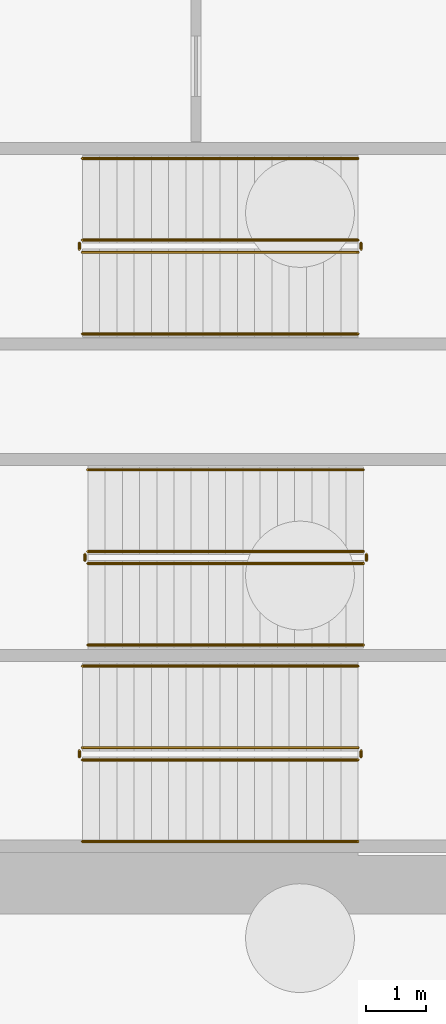
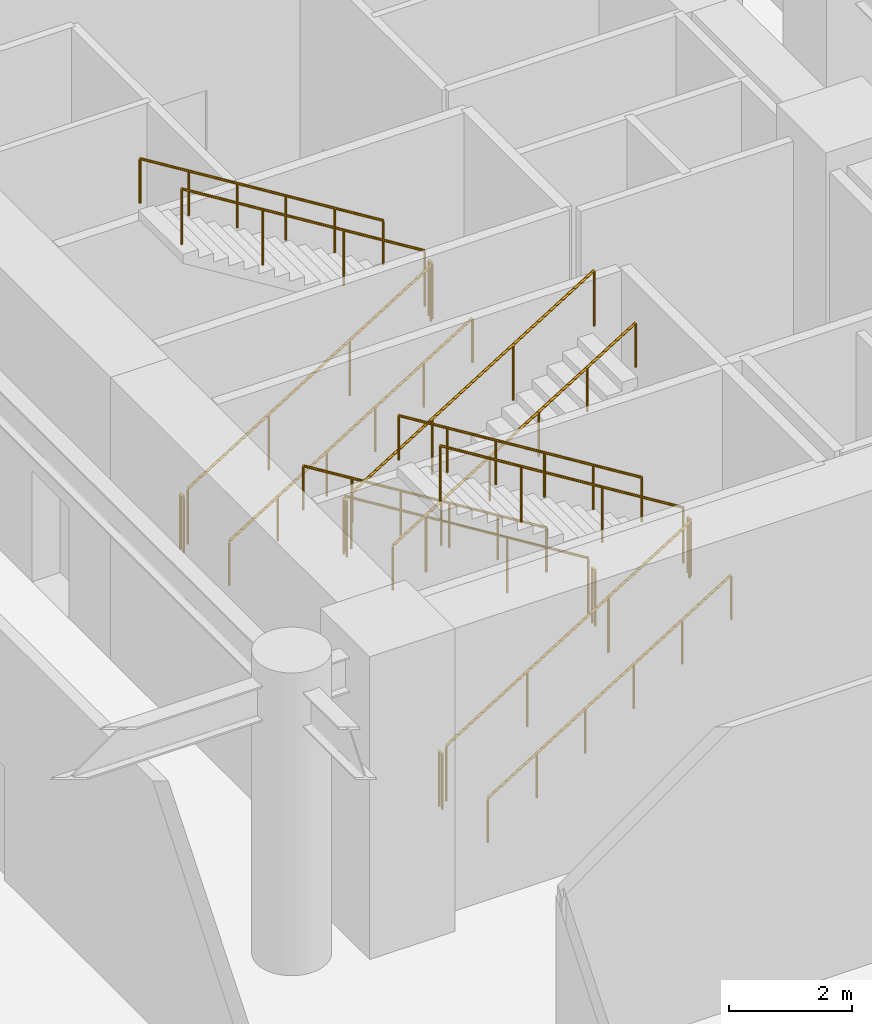
# One storey, part 33 of 37: 18 railings.
"""IFC4 building model written with IfcOpenShell, lengths in metres."""

from ifc_helpers import new_model, si_unit, direction, frame, origin, origin_2d, place, context, subcontext, project, spatial, circle, extrude, material, type_object, element, save


model = new_model("IFC4")

# Units and contexts
model_context = context("Model", 3, precision=1e-05, world=origin(), true_north=direction((0.0, 1.0)))
body_context = subcontext(model_context, "Body", "Model", "MODEL_VIEW")
ifc_project = project(units=[si_unit("LENGTHUNIT", "METRE"), si_unit("AREAUNIT", "SQUARE_METRE"), si_unit("VOLUMEUNIT", "CUBIC_METRE"), si_unit("PLANEANGLEUNIT", "RADIAN"), si_unit("MASSUNIT", "GRAM", prefix="KILO")], contexts=[model_context])

# Site, building, storey
site_placement = place(None, origin())
site = spatial("IfcSite", under=ifc_project, at=site_placement, CompositionType="ELEMENT")
building_placement = place(site_placement, origin())
building = spatial("IfcBuilding", under=site, at=building_placement, Name="Narakoshi Arena Tower", CompositionType="ELEMENT")
storey_placement = place(building_placement, frame((0.0, 0.0, -6.0)))
storey = spatial("IfcBuildingStorey", under=building, at=storey_placement, Name="B01", CompositionType="ELEMENT", Elevation=-6.0)

# Railings
ifc_material_1 = material(Name="Clear low-iron laminated structural glass", Category="glass")
railing_type_1 = type_object("IfcRailingType", Name="RL-BAL-1100", PredefinedType="BALUSTRADE", material=ifc_material_1)
railing_1_placement = place(storey_placement, frame((74.39990234375, 36.949951171875, 0.176513671875)))
element("IfcRailing", 1, at=railing_1_placement, inside=storey, type_object=railing_type_1, Name="B01 ST1 stair guard 1", PredefinedType="BALUSTRADE", context=body_context, shape_type="SweptSolid", body=[
    extrude(circle(Radius=0.02392578125, at=origin_2d()), frame((0.0, 0.0, 1.09619140625), z_axis=(0.850215668316, 0.0, 0.526434532824), x_axis=(0.0, 1.0, 0.0)), (0.0, 0.0, 1.0), 5.363525390625),
    extrude(circle(Radius=0.02099609375, at=origin_2d()), origin(), (0.0, 0.0, 1.0), 1.072021484375),
    extrude(circle(Radius=0.02099609375, at=origin_2d()), frame((1.52001953125, 0.0, 0.941162109375)), (0.0, 0.0, 1.0), 1.072021484375),
    extrude(circle(Radius=0.02099609375, at=origin_2d()), frame((3.0400390625, 0.0, 1.88232421875)), (0.0, 0.0, 1.0), 1.072021484375),
    extrude(circle(Radius=0.02099609375, at=origin_2d()), frame((4.56005859375, 0.0, 2.823486328125)), (0.0, 0.0, 1.0), 1.072021484375),
])
railing_2_placement = place(storey_placement, frame((79.010009765625, 37.0, 3.0)))
element("IfcRailing", 2, at=railing_2_placement, inside=storey, type_object=railing_type_1, Name="B01 ST1 stair guard 2", PredefinedType="BALUSTRADE", context=body_context, shape_type="SweptSolid", body=[
    extrude(circle(Radius=0.02392578125, at=origin_2d()), frame((0.0, 0.0, 1.09619140625), z_axis=(0.0, 1.0, 0.0), x_axis=(-1.0, 0.0, 0.0)), (0.0, 0.0, 1.0), 0.10009765625),
    extrude(circle(Radius=0.02099609375, at=origin_2d()), origin(), (0.0, 0.0, 1.0), 1.072021484375),
    extrude(circle(Radius=0.02099609375, at=origin_2d()), frame((0.0, 0.10009765625, 0.0)), (0.0, 0.0, 1.0), 1.072021484375),
])
railing_3_placement = place(storey_placement, frame((78.9599609375, 37.14990234375, 3.176513671875)))
element("IfcRailing", 3, at=railing_3_placement, inside=storey, type_object=railing_type_1, Name="B01 ST1 stair guard 3", PredefinedType="BALUSTRADE", context=body_context, shape_type="SweptSolid", body=[
    extrude(circle(Radius=0.02392578125, at=origin_2d()), frame((0.0, 0.0, 1.09619140625), z_axis=(-0.850215668316, 0.0, 0.526434532824), x_axis=(0.0, -1.0, 0.0)), (0.0, 0.0, 1.0), 5.363525390625),
    extrude(circle(Radius=0.02099609375, at=origin_2d()), origin(), (0.0, 0.0, 1.0), 1.072021484375),
    extrude(circle(Radius=0.02099609375, at=origin_2d()), frame((-1.52001953125, 0.0, 0.941162109375)), (0.0, 0.0, 1.0), 1.072021484375),
    extrude(circle(Radius=0.02099609375, at=origin_2d()), frame((-3.0400390625, 0.0, 1.88232421875)), (0.0, 0.0, 1.0), 1.072021484375),
    extrude(circle(Radius=0.02099609375, at=origin_2d()), frame((-4.56005859375, 0.0, 2.823486328125)), (0.0, 0.0, 1.0), 1.072021484375),
])
railing_4_placement = place(storey_placement, frame((74.35009765625, 37.0, 0.0)))
element("IfcRailing", 4, at=railing_4_placement, inside=storey, type_object=railing_type_1, Name="B01 ST1 stair guard 4", PredefinedType="BALUSTRADE", context=body_context, shape_type="SweptSolid", body=[
    extrude(circle(Radius=0.02392578125, at=origin_2d()), frame((0.0, 0.0, 1.09619140625), z_axis=(0.0, 1.0, 0.0), x_axis=(-1.0, 0.0, 0.0)), (0.0, 0.0, 1.0), 0.10009765625),
    extrude(circle(Radius=0.02099609375, at=origin_2d()), origin(), (0.0, 0.0, 1.0), 1.072021484375),
    extrude(circle(Radius=0.02099609375, at=origin_2d()), frame((0.0, 0.10009765625, 0.0)), (0.0, 0.0, 1.0), 1.072021484375),
])
railing_5_placement = place(storey_placement, frame((79.050048828125, 40.39990234375, 0.176513671875)))
element("IfcRailing", 5, at=railing_5_placement, inside=storey, type_object=railing_type_1, Name="B01 ST2 stair guard 1", PredefinedType="BALUSTRADE", context=body_context, shape_type="SweptSolid", body=[
    extrude(circle(Radius=0.02392578125, at=origin_2d()), frame((0.0, 0.0, 1.09619140625), z_axis=(-0.850215668316, 0.0, 0.526434532824), x_axis=(0.0, -1.0, 0.0)), (0.0, 0.0, 1.0), 5.363525390625),
    extrude(circle(Radius=0.02099609375, at=origin_2d()), origin(), (0.0, 0.0, 1.0), 1.072021484375),
    extrude(circle(Radius=0.02099609375, at=origin_2d()), frame((-1.52001953125, 0.0, 0.941162109375)), (0.0, 0.0, 1.0), 1.072021484375),
    extrude(circle(Radius=0.02099609375, at=origin_2d()), frame((-3.0400390625, 0.0, 1.88232421875)), (0.0, 0.0, 1.0), 1.072021484375),
    extrude(circle(Radius=0.02099609375, at=origin_2d()), frame((-4.56005859375, 0.0, 2.823486328125)), (0.0, 0.0, 1.0), 1.072021484375),
])
railing_6_placement = place(storey_placement, frame((74.43994140625, 40.35009765625, 3.0)))
element("IfcRailing", 6, at=railing_6_placement, inside=storey, type_object=railing_type_1, Name="B01 ST2 stair guard 2", PredefinedType="BALUSTRADE", context=body_context, shape_type="SweptSolid", body=[
    extrude(circle(Radius=0.02392578125, at=origin_2d()), frame((0.0, 0.0, 1.09619140625), z_axis=(0.0, -1.0, 0.0), x_axis=(1.0, 0.0, 0.0)), (0.0, 0.0, 1.0), 0.10009765625),
    extrude(circle(Radius=0.02099609375, at=origin_2d()), origin(), (0.0, 0.0, 1.0), 1.072021484375),
    extrude(circle(Radius=0.02099609375, at=origin_2d()), frame((0.0, -0.10009765625, 0.0)), (0.0, 0.0, 1.0), 1.072021484375),
])
railing_7_placement = place(storey_placement, frame((74.489990234375, 40.199951171875, 3.176513671875)))
element("IfcRailing", 7, at=railing_7_placement, inside=storey, type_object=railing_type_1, Name="B01 ST2 stair guard 3", PredefinedType="BALUSTRADE", context=body_context, shape_type="SweptSolid", body=[
    extrude(circle(Radius=0.02392578125, at=origin_2d()), frame((0.0, 0.0, 1.09619140625), z_axis=(0.850215668316, 0.0, 0.526434532824), x_axis=(0.0, 1.0, 0.0)), (0.0, 0.0, 1.0), 5.363525390625),
    extrude(circle(Radius=0.02099609375, at=origin_2d()), origin(), (0.0, 0.0, 1.0), 1.072021484375),
    extrude(circle(Radius=0.02099609375, at=origin_2d()), frame((1.52001953125, 0.0, 0.941162109375)), (0.0, 0.0, 1.0), 1.072021484375),
    extrude(circle(Radius=0.02099609375, at=origin_2d()), frame((3.0400390625, 0.0, 1.88232421875)), (0.0, 0.0, 1.0), 1.072021484375),
    extrude(circle(Radius=0.02099609375, at=origin_2d()), frame((4.56005859375, 0.0, 2.823486328125)), (0.0, 0.0, 1.0), 1.072021484375),
])
railing_8_placement = place(storey_placement, frame((79.10009765625, 40.35009765625, 0.0)))
element("IfcRailing", 8, at=railing_8_placement, inside=storey, type_object=railing_type_1, Name="B01 ST2 stair guard 4", PredefinedType="BALUSTRADE", context=body_context, shape_type="SweptSolid", body=[
    extrude(circle(Radius=0.02392578125, at=origin_2d()), frame((0.0, 0.0, 1.09619140625), z_axis=(0.0, -1.0, 0.0), x_axis=(1.0, 0.0, 0.0)), (0.0, 0.0, 1.0), 0.10009765625),
    extrude(circle(Radius=0.02099609375, at=origin_2d()), origin(), (0.0, 0.0, 1.0), 1.072021484375),
    extrude(circle(Radius=0.02099609375, at=origin_2d()), frame((0.0, -0.10009765625, 0.0)), (0.0, 0.0, 1.0), 1.072021484375),
])
railing_9_placement = place(storey_placement, frame((74.39990234375, 45.35009765625, 0.176513671875)))
element("IfcRailing", 9, at=railing_9_placement, inside=storey, type_object=railing_type_1, Name="B01 ST3 stair guard 1", PredefinedType="BALUSTRADE", context=body_context, shape_type="SweptSolid", body=[
    extrude(circle(Radius=0.02392578125, at=origin_2d()), frame((0.0, 0.0, 1.09619140625), z_axis=(0.850215668316, 0.0, 0.526434532824), x_axis=(0.0, 1.0, 0.0)), (0.0, 0.0, 1.0), 5.363525390625),
    extrude(circle(Radius=0.02099609375, at=origin_2d()), origin(), (0.0, 0.0, 1.0), 1.072021484375),
    extrude(circle(Radius=0.02099609375, at=origin_2d()), frame((1.52001953125, 0.0, 0.941162109375)), (0.0, 0.0, 1.0), 1.072021484375),
    extrude(circle(Radius=0.02099609375, at=origin_2d()), frame((3.0400390625, 0.0, 1.88232421875)), (0.0, 0.0, 1.0), 1.072021484375),
    extrude(circle(Radius=0.02099609375, at=origin_2d()), frame((4.56005859375, 0.0, 2.823486328125)), (0.0, 0.0, 1.0), 1.072021484375),
])
railing_10_placement = place(storey_placement, frame((79.010009765625, 45.39990234375, 3.0)))
element("IfcRailing", 10, at=railing_10_placement, inside=storey, type_object=railing_type_1, Name="B01 ST3 stair guard 2", PredefinedType="BALUSTRADE", context=body_context, shape_type="SweptSolid", body=[
    extrude(circle(Radius=0.02392578125, at=origin_2d()), frame((0.0, 0.0, 1.09619140625), z_axis=(0.0, 1.0, 0.0), x_axis=(-1.0, 0.0, 0.0)), (0.0, 0.0, 1.0), 0.10009765625),
    extrude(circle(Radius=0.02099609375, at=origin_2d()), origin(), (0.0, 0.0, 1.0), 1.072021484375),
    extrude(circle(Radius=0.02099609375, at=origin_2d()), frame((0.0, 0.10009765625, 0.0)), (0.0, 0.0, 1.0), 1.072021484375),
])
railing_11_placement = place(storey_placement, frame((78.9599609375, 45.550048828125, 3.176513671875)))
element("IfcRailing", 11, at=railing_11_placement, inside=storey, type_object=railing_type_1, Name="B01 ST3 stair guard 3", PredefinedType="BALUSTRADE", context=body_context, shape_type="SweptSolid", body=[
    extrude(circle(Radius=0.02392578125, at=origin_2d()), frame((0.0, 0.0, 1.09619140625), z_axis=(-0.850215668316, 0.0, 0.526434532824), x_axis=(0.0, -1.0, 0.0)), (0.0, 0.0, 1.0), 5.363525390625),
    extrude(circle(Radius=0.02099609375, at=origin_2d()), origin(), (0.0, 0.0, 1.0), 1.072021484375),
    extrude(circle(Radius=0.02099609375, at=origin_2d()), frame((-1.52001953125, 0.0, 0.941162109375)), (0.0, 0.0, 1.0), 1.072021484375),
    extrude(circle(Radius=0.02099609375, at=origin_2d()), frame((-3.0400390625, 0.0, 1.88232421875)), (0.0, 0.0, 1.0), 1.072021484375),
    extrude(circle(Radius=0.02099609375, at=origin_2d()), frame((-4.56005859375, 0.0, 2.823486328125)), (0.0, 0.0, 1.0), 1.072021484375),
])
railing_12_placement = place(storey_placement, frame((74.35009765625, 45.39990234375, 0.0)))
element("IfcRailing", 12, at=railing_12_placement, inside=storey, type_object=railing_type_1, Name="B01 ST3 stair guard 4", PredefinedType="BALUSTRADE", context=body_context, shape_type="SweptSolid", body=[
    extrude(circle(Radius=0.02392578125, at=origin_2d()), frame((0.0, 0.0, 1.09619140625), z_axis=(0.0, 1.0, 0.0), x_axis=(-1.0, 0.0, 0.0)), (0.0, 0.0, 1.0), 0.10009765625),
    extrude(circle(Radius=0.02099609375, at=origin_2d()), origin(), (0.0, 0.0, 1.0), 1.072021484375),
    extrude(circle(Radius=0.02099609375, at=origin_2d()), frame((0.0, 0.10009765625, 0.0)), (0.0, 0.0, 1.0), 1.072021484375),
])
ifc_material_2 = material(Name="Brushed bronze stainless steel", Category="steel")
railing_type_2 = type_object("IfcRailingType", Name="RL-HND-900", PredefinedType="HANDRAIL", material=ifc_material_2)
railing_13_placement = place(storey_placement, frame((74.39990234375, 35.60009765625, 0.176513671875)))
element("IfcRailing", 13, at=railing_13_placement, inside=storey, type_object=railing_type_2, Name="B01 ST1 stair handrail 1", PredefinedType="HANDRAIL", context=body_context, shape_type="SweptSolid", body=[
    extrude(circle(Radius=0.02392578125, at=origin_2d()), frame((0.0, 0.0, 0.8759765625), z_axis=(0.850215668316, 0.0, 0.526434532824), x_axis=(0.0, 1.0, 0.0)), (0.0, 0.0, 1.0), 5.363525390625),
    extrude(circle(Radius=0.02099609375, at=origin_2d()), origin(), (0.0, 0.0, 1.0), 0.851806640625),
    extrude(circle(Radius=0.02099609375, at=origin_2d()), frame((0.912109375, 0.0, 0.564697265625)), (0.0, 0.0, 1.0), 0.851806640625),
    extrude(circle(Radius=0.02099609375, at=origin_2d()), frame((1.823974609375, 0.0, 1.12939453125)), (0.0, 0.0, 1.0), 0.851806640625),
    extrude(circle(Radius=0.02099609375, at=origin_2d()), frame((2.736083984375, 0.0, 1.694091796875)), (0.0, 0.0, 1.0), 0.851806640625),
    extrude(circle(Radius=0.02099609375, at=origin_2d()), frame((3.64794921875, 0.0, 2.2587890625)), (0.0, 0.0, 1.0), 0.851806640625),
    extrude(circle(Radius=0.02099609375, at=origin_2d()), frame((4.56005859375, 0.0, 2.823486328125)), (0.0, 0.0, 1.0), 0.851806640625),
])
for number, where, name in (
    (14, (78.9599609375, 38.5, 3.176513671875), "B01 ST1 stair handrail 2"),
    (15, (79.050048828125, 41.75, 0.176513671875), "B01 ST2 stair handrail 1"),
):
    element("IfcRailing", number, at=place(storey_placement, frame(where)), inside=storey, type_object=railing_type_2, Name=name, PredefinedType="HANDRAIL", context=body_context, shape_type="SweptSolid", body=[
        extrude(circle(Radius=0.02392578125, at=origin_2d()), frame((0.0, 0.0, 0.8759765625), z_axis=(-0.850215668316, 0.0, 0.526434532824), x_axis=(0.0, -1.0, 0.0)), (0.0, 0.0, 1.0), 5.363525390625),
        extrude(circle(Radius=0.02099609375, at=origin_2d()), origin(), (0.0, 0.0, 1.0), 0.851806640625),
        extrude(circle(Radius=0.02099609375, at=origin_2d()), frame((-0.912109375, 0.0, 0.564697265625)), (0.0, 0.0, 1.0), 0.851806640625),
        extrude(circle(Radius=0.02099609375, at=origin_2d()), frame((-1.823974609375, 0.0, 1.12939453125)), (0.0, 0.0, 1.0), 0.851806640625),
        extrude(circle(Radius=0.02099609375, at=origin_2d()), frame((-2.736083984375, 0.0, 1.694091796875)), (0.0, 0.0, 1.0), 0.851806640625),
        extrude(circle(Radius=0.02099609375, at=origin_2d()), frame((-3.64794921875, 0.0, 2.2587890625)), (0.0, 0.0, 1.0), 0.851806640625),
        extrude(circle(Radius=0.02099609375, at=origin_2d()), frame((-4.56005859375, 0.0, 2.823486328125)), (0.0, 0.0, 1.0), 0.851806640625),
    ])
for number, where, name in (
    (16, (74.489990234375, 38.85009765625, 3.176513671875), "B01 ST2 stair handrail 2"),
    (17, (74.39990234375, 44.0, 0.176513671875), "B01 ST3 stair handrail 1"),
):
    element("IfcRailing", number, at=place(storey_placement, frame(where)), inside=storey, type_object=railing_type_2, Name=name, PredefinedType="HANDRAIL", context=body_context, shape_type="SweptSolid", body=[
        extrude(circle(Radius=0.02392578125, at=origin_2d()), frame((0.0, 0.0, 0.8759765625), z_axis=(0.850215668316, 0.0, 0.526434532824), x_axis=(0.0, 1.0, 0.0)), (0.0, 0.0, 1.0), 5.363525390625),
        extrude(circle(Radius=0.02099609375, at=origin_2d()), origin(), (0.0, 0.0, 1.0), 0.851806640625),
        extrude(circle(Radius=0.02099609375, at=origin_2d()), frame((0.912109375, 0.0, 0.564697265625)), (0.0, 0.0, 1.0), 0.851806640625),
        extrude(circle(Radius=0.02099609375, at=origin_2d()), frame((1.823974609375, 0.0, 1.12939453125)), (0.0, 0.0, 1.0), 0.851806640625),
        extrude(circle(Radius=0.02099609375, at=origin_2d()), frame((2.736083984375, 0.0, 1.694091796875)), (0.0, 0.0, 1.0), 0.851806640625),
        extrude(circle(Radius=0.02099609375, at=origin_2d()), frame((3.64794921875, 0.0, 2.2587890625)), (0.0, 0.0, 1.0), 0.851806640625),
        extrude(circle(Radius=0.02099609375, at=origin_2d()), frame((4.56005859375, 0.0, 2.823486328125)), (0.0, 0.0, 1.0), 0.851806640625),
    ])
railing_14_placement = place(storey_placement, frame((78.9599609375, 46.89990234375, 3.176513671875)))
element("IfcRailing", 18, at=railing_14_placement, inside=storey, type_object=railing_type_2, Name="B01 ST3 stair handrail 2", PredefinedType="HANDRAIL", context=body_context, shape_type="SweptSolid", body=[
    extrude(circle(Radius=0.02392578125, at=origin_2d()), frame((0.0, 0.0, 0.8759765625), z_axis=(-0.850215668316, 0.0, 0.526434532824), x_axis=(0.0, -1.0, 0.0)), (0.0, 0.0, 1.0), 5.363525390625),
    extrude(circle(Radius=0.02099609375, at=origin_2d()), origin(), (0.0, 0.0, 1.0), 0.851806640625),
    extrude(circle(Radius=0.02099609375, at=origin_2d()), frame((-0.912109375, 0.0, 0.564697265625)), (0.0, 0.0, 1.0), 0.851806640625),
    extrude(circle(Radius=0.02099609375, at=origin_2d()), frame((-1.823974609375, 0.0, 1.12939453125)), (0.0, 0.0, 1.0), 0.851806640625),
    extrude(circle(Radius=0.02099609375, at=origin_2d()), frame((-2.736083984375, 0.0, 1.694091796875)), (0.0, 0.0, 1.0), 0.851806640625),
    extrude(circle(Radius=0.02099609375, at=origin_2d()), frame((-3.64794921875, 0.0, 2.2587890625)), (0.0, 0.0, 1.0), 0.851806640625),
    extrude(circle(Radius=0.02099609375, at=origin_2d()), frame((-4.56005859375, 0.0, 2.823486328125)), (0.0, 0.0, 1.0), 0.851806640625),
])

save(model, "model.ifc")
